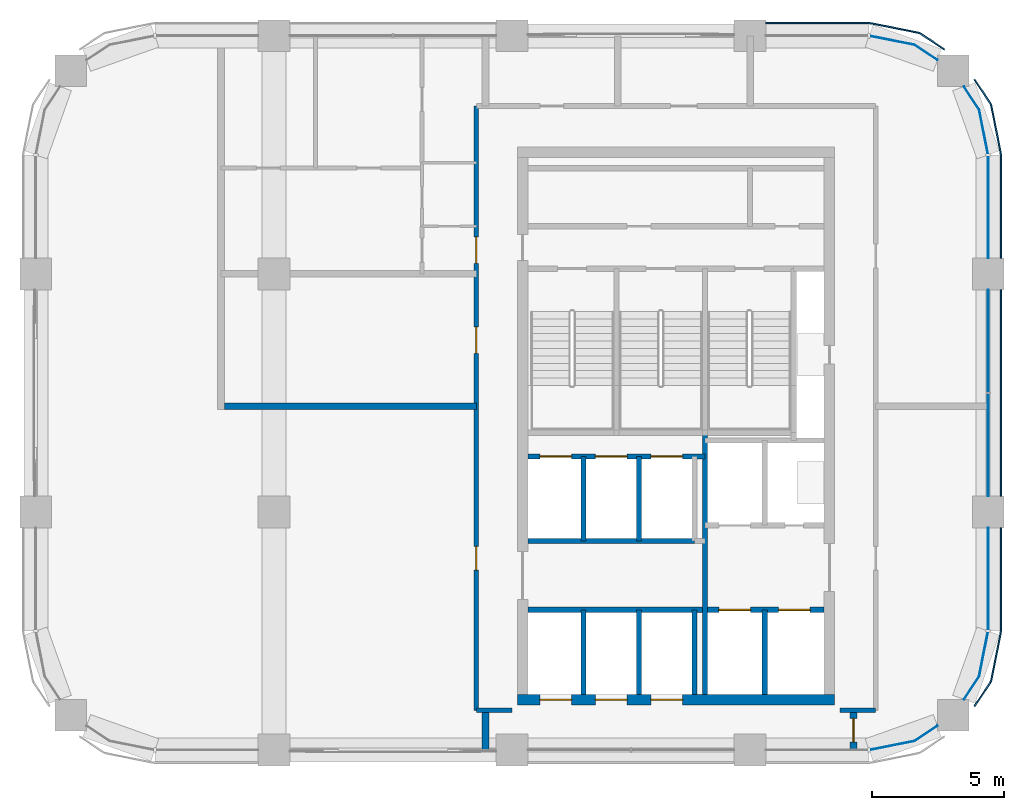
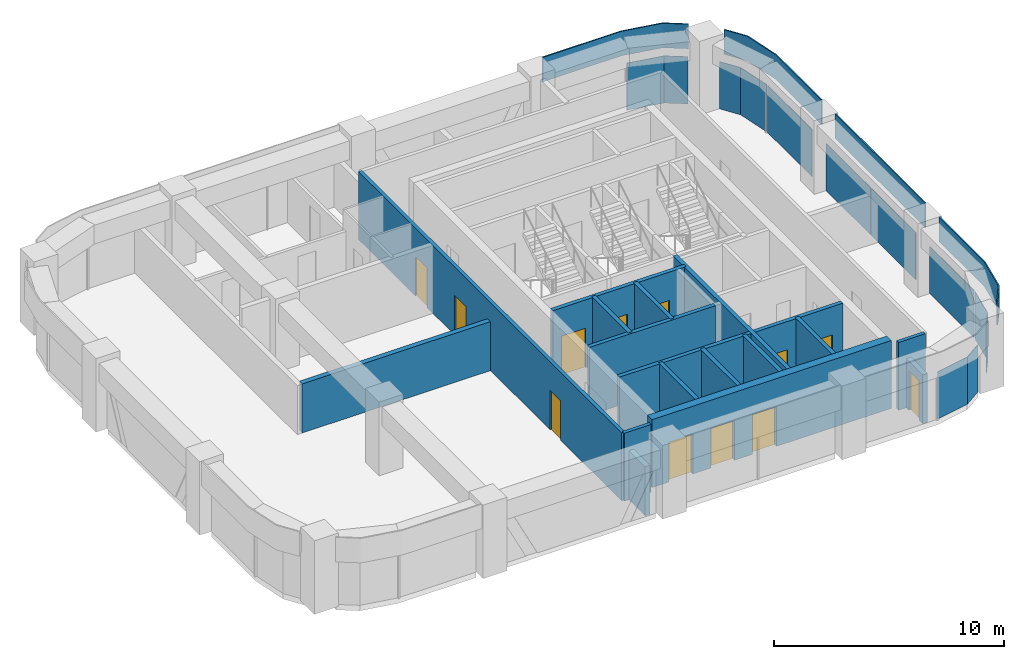
# One storey, part 7 of 10: 17 walls, 12 doors, 12 plates, 12 openings, 5 elements without a shape of their own.
"""IFC4 building model written with IfcOpenShell, lengths in metres."""

from ifc_helpers import new_model, si_unit, direction, frame, frame_2d, origin, origin_2d, place, context, subcontext, project, spatial, polyline, rectangle, outline, extrude, material, layer, layer_set, type_object, element, fill, aggregate, save


model = new_model("IFC4")

# Units and contexts
model_context = context("Model", 3, precision=1e-05, world=origin(), true_north=direction((0.0, 1.0)))
body_context = subcontext(model_context, "Body", "Model", "MODEL_VIEW")
ifc_project = project(units=[si_unit("LENGTHUNIT", "METRE"), si_unit("AREAUNIT", "SQUARE_METRE"), si_unit("VOLUMEUNIT", "CUBIC_METRE"), si_unit("PLANEANGLEUNIT", "RADIAN"), si_unit("MASSUNIT", "GRAM", prefix="KILO")], contexts=[model_context])

# Site, building, storey
site_placement = place(None, origin())
site = spatial("IfcSite", under=ifc_project, at=site_placement, CompositionType="ELEMENT")
building_placement = place(site_placement, origin())
building = spatial("IfcBuilding", under=site, at=building_placement, Name="Tessera Arch", CompositionType="ELEMENT")
storey_placement = place(building_placement, frame((0.0, 0.0, 261.800048828125)))
storey = spatial("IfcBuildingStorey", under=building, at=storey_placement, Name="L63", CompositionType="ELEMENT", Elevation=261.800048828125)

# Curtain wall, plates
ifc_material_1 = material(Name="CW1 curtain wall")
curtain_wall_type_1 = type_object("IfcCurtainWallType", Name="CW1 curtain wall", PredefinedType="NOTDEFINED", material=ifc_material_1)
curtain_wall_1_placement = place(storey_placement, origin())
curtain_wall_1 = element("IfcCurtainWall", 1, at=curtain_wall_1_placement, inside=storey, type_object=curtain_wall_type_1, Name="CW1 curtain wall E54.27/0 L63", PredefinedType="NOTDEFINED")
ifc_material_2 = material(Name="Clear low-e glass", Category="glass")
ifc_material_3 = material(Name="Clear low-e glass", Category="glass")
ifc_layer_1 = layer(ifc_material_3, 0.028076171875)
ifc_layer_set_1 = layer_set([ifc_layer_1], Name="CW1 glass panel")
plate_type_1 = type_object("IfcPlateType", Name="CW1 glass panel", PredefinedType="CURTAIN_PANEL", material=ifc_layer_set_1)
plate_1_placement = place(storey_placement, frame((54.0, 38.534912109375, 0.0), z_axis=(0.0, 0.0, 1.0), x_axis=(0.0, 1.0, 0.0)))
plate_1 = element("IfcPlate", 2, at=plate_1_placement, type_object=plate_type_1, material=ifc_material_2, Name="CW1 glass panel E54.27/0 1.1.1", PredefinedType="CURTAIN_PANEL", context=body_context, shape_type="SweptSolid", body=[
    extrude(rectangle(XDim=3.8701171875, YDim=0.028076171875, at=origin_2d()), origin(), (0.0, 0.0, 1.0), 2.5),
])
plate_2_placement = place(storey_placement, frame((54.0, 42.465087890625, 0.0), z_axis=(0.0, 0.0, 1.0), x_axis=(0.0, 1.0, 0.0)))
plate_2 = element("IfcPlate", 3, at=plate_2_placement, type_object=plate_type_1, material=ifc_material_2, Name="CW1 glass panel E54.27/0 1.2.1", PredefinedType="CURTAIN_PANEL", context=body_context, shape_type="SweptSolid", body=[
    extrude(rectangle(XDim=3.8701171875, YDim=0.028076171875, at=origin_2d()), origin(), (0.0, 0.0, 1.0), 2.5),
])
ifc_material_4 = material(Name="Pale anodised aluminium panel", Category="aluminium")
ifc_layer_2 = layer(ifc_material_4, 0.06005859375)
ifc_layer_set_2 = layer_set([ifc_layer_2], Name="CW1 spandrel panel")
plate_type_2 = type_object("IfcPlateType", Name="CW1 spandrel panel", PredefinedType="CURTAIN_PANEL", material=ifc_layer_set_2)
plate_3_placement = place(storey_placement, frame((54.47998046875, 40.5, 2.60009765625), z_axis=(0.0, 0.0, 1.0), x_axis=(0.0, 1.0, 0.0)))
plate_3 = element("IfcPlate", 4, at=plate_3_placement, type_object=plate_type_2, Name="CW1 spandrel panel E54.27/0", PredefinedType="CURTAIN_PANEL", context=body_context, shape_type="SweptSolid", body=[
    extrude(rectangle(XDim=7.800048828125, YDim=0.06005859375, at=origin_2d()), origin(), (0.0, 0.0, 1.0), 1.300048828125),
])
aggregate(curtain_wall_1, [plate_1, plate_2, plate_3])

ifc_material_5 = material(Name="CW2 curtain wall")
curtain_wall_type_2 = type_object("IfcCurtainWallType", Name="CW2 curtain wall", PredefinedType="NOTDEFINED", material=ifc_material_5)
curtain_wall_2_placement = place(storey_placement, origin())
curtain_wall_2 = element("IfcCurtainWall", 5, at=curtain_wall_2_placement, inside=storey, type_object=curtain_wall_type_2, Name="CW2 curtain wall E54.27/1 L63", PredefinedType="NOTDEFINED")
ifc_material_6 = material(Name="Clear low-e glass", Category="glass")
ifc_layer_3 = layer(ifc_material_6, 0.028076171875)
ifc_layer_set_3 = layer_set([ifc_layer_3], Name="CW2 glass panel")
plate_type_3 = type_object("IfcPlateType", Name="CW2 glass panel", PredefinedType="CURTAIN_PANEL", material=ifc_layer_set_3)
plate_4_placement = place(storey_placement, frame((54.0, 47.530029296875, 0.0), z_axis=(0.0, 0.0, 1.0), x_axis=(0.0, 1.0, 0.0)))
plate_4 = element("IfcPlate", 6, at=plate_4_placement, type_object=plate_type_3, material=ifc_material_2, Name="CW2 glass panel E54.27/1 1.1", PredefinedType="CURTAIN_PANEL", context=body_context, shape_type="SweptSolid", body=[
    extrude(rectangle(XDim=3.860107421875, YDim=0.028076171875, at=origin_2d()), origin(), (0.0, 0.0, 1.0), 2.5),
])
plate_5_placement = place(storey_placement, origin())
plate_5 = element("IfcPlate", 7, at=plate_5_placement, type_object=plate_type_3, material=ifc_material_2, Name="CW2 curved glass panel E54.27/1 2.1", PredefinedType="CURTAIN_PANEL", context=body_context, shape_type="SweptSolid", body=[
    extrude(outline(polyline([(53.644287109375, 51.216552734375), (53.978515625, 49.53662109375), (54.005859375, 49.5419921875), (53.670654296875, 51.2275390625), (53.094482421875, 52.08984375), (53.0712890625, 52.07421875), (53.644287109375, 51.216552734375)])), origin(), (0.0, 0.0, 1.0), 2.5),
])

# Curtain wall, plate
curtain_wall_3_placement = place(storey_placement, origin())
curtain_wall_3 = element("IfcCurtainWall", 8, at=curtain_wall_3_placement, inside=storey, type_object=curtain_wall_type_2, Name="CW2 curtain wall N54.18/0 L63", PredefinedType="NOTDEFINED")
plate_6_placement = place(storey_placement, origin())
plate_6 = element("IfcPlate", 9, at=plate_6_placement, type_object=plate_type_3, material=ifc_material_2, Name="CW2 curved glass panel N54.18/0 2.1", PredefinedType="CURTAIN_PANEL", context=body_context, shape_type="SweptSolid", body=[
    extrude(outline(polyline([(51.216552734375, 53.644287109375), (52.07421875, 53.0712890625), (52.08984375, 53.094482421875), (51.2275390625, 53.670654296875), (49.5419921875, 54.005859375), (49.53662109375, 53.978515625), (51.216552734375, 53.644287109375)])), origin(), (0.0, 0.0, 1.0), 2.5),
])

curtain_wall_4_placement = place(storey_placement, origin())
curtain_wall_4 = element("IfcCurtainWall", 10, at=curtain_wall_4_placement, inside=storey, type_object=curtain_wall_type_2, Name="CW2 curtain wall S27.18/3 L63", PredefinedType="NOTDEFINED")
plate_7_placement = place(storey_placement, origin())
plate_7 = element("IfcPlate", 11, at=plate_7_placement, type_object=plate_type_3, material=ifc_material_2, Name="CW2 curved glass panel S27.18/3 2.1", PredefinedType="CURTAIN_PANEL", context=body_context, shape_type="SweptSolid", body=[
    extrude(outline(polyline([(51.216552734375, 27.355712890625), (49.53662109375, 27.021484375), (49.5419921875, 26.994140625), (51.2275390625, 27.329345703125), (52.08984375, 27.905517578125), (52.07421875, 27.9287109375), (51.216552734375, 27.355712890625)])), origin(), (0.0, 0.0, 1.0), 2.5),
])
aggregate(curtain_wall_4, [plate_7])

# Curtain wall, plates
curtain_wall_5_placement = place(storey_placement, origin())
curtain_wall_5 = element("IfcCurtainWall", 12, at=curtain_wall_5_placement, inside=storey, type_object=curtain_wall_type_2, Name="CW2 curtain wall E54.27/2 L63", PredefinedType="NOTDEFINED")
plate_8_placement = place(storey_placement, frame((54.0, 33.469970703125, 0.0), z_axis=(0.0, 0.0, 1.0), x_axis=(0.0, 1.0, 0.0)))
plate_8 = element("IfcPlate", 13, at=plate_8_placement, type_object=plate_type_3, material=ifc_material_2, Name="CW2 glass panel E54.27/2 1.1", PredefinedType="CURTAIN_PANEL", context=body_context, shape_type="SweptSolid", body=[
    extrude(rectangle(XDim=3.860107421875, YDim=0.028076171875, at=origin_2d()), origin(), (0.0, 0.0, 1.0), 2.5),
])
plate_9_placement = place(storey_placement, origin())
plate_9 = element("IfcPlate", 14, at=plate_9_placement, type_object=plate_type_3, material=ifc_material_2, Name="CW2 curved glass panel E54.27/2 2.1", PredefinedType="CURTAIN_PANEL", context=body_context, shape_type="SweptSolid", body=[
    extrude(outline(polyline([(53.644287109375, 29.783447265625), (53.0712890625, 28.92578125), (53.094482421875, 28.91015625), (53.670654296875, 29.7724609375), (54.005859375, 31.4580078125), (53.978515625, 31.46337890625), (53.644287109375, 29.783447265625)])), origin(), (0.0, 0.0, 1.0), 2.5),
])

# Plate
ifc_material_7 = material(Name="Pale anodised aluminium panel", Category="aluminium")
ifc_layer_4 = layer(ifc_material_7, 0.06005859375)
ifc_layer_set_4 = layer_set([ifc_layer_4], Name="CW2 spandrel panel")
plate_type_4 = type_object("IfcPlateType", Name="CW2 spandrel panel", PredefinedType="CURTAIN_PANEL", material=ifc_layer_set_4)
plate_10_placement = place(storey_placement, frame((0.0, 0.0, 2.599853515625)))
plate_10 = element("IfcPlate", 15, at=plate_10_placement, type_object=plate_type_4, Name="CW2 spandrel panel E54.27/1", PredefinedType="CURTAIN_PANEL", context=body_context, shape_type="SweptSolid", body=[
    extrude(outline(polyline([(54.449951171875, 49.499267578125), (54.449951171875, 45.60009765625), (54.510009765625, 45.60009765625), (54.510009765625, 49.500732421875), (54.507568359375, 49.550048828125), (54.500244140625, 49.598876953125), (54.157470703125, 51.322265625), (54.1455078125, 51.3701171875), (54.128662109375, 51.417236328125), (54.107421875, 51.462646484375), (54.08203125, 51.5048828125), (53.5068359375, 52.365234375), (53.45703125, 52.33203125), (54.03125, 51.47265625), (54.054443359375, 51.434326171875), (54.0732421875, 51.394287109375), (54.088134765625, 51.352783203125), (54.09912109375, 51.30908203125), (54.441162109375, 49.588623046875), (54.44775390625, 49.544189453125), (54.449951171875, 49.499267578125)])), origin(), (0.0, 0.0, 1.0), 1.300048828125),
])

aggregate(curtain_wall_2, [plate_4, plate_5, plate_10])

plate_11_placement = place(storey_placement, frame((0.0, 0.0, 2.599853515625)))
plate_11 = element("IfcPlate", 16, at=plate_11_placement, type_object=plate_type_4, Name="CW2 spandrel panel N54.18/0", PredefinedType="CURTAIN_PANEL", context=body_context, shape_type="SweptSolid", body=[
    extrude(outline(polyline([(51.47265625, 54.03125), (52.33203125, 53.45703125), (52.365234375, 53.5068359375), (51.5048828125, 54.08203125), (51.462646484375, 54.107421875), (51.417236328125, 54.128662109375), (51.3701171875, 54.1455078125), (51.322265625, 54.157470703125), (49.598876953125, 54.500244140625), (49.550048828125, 54.507568359375), (49.500732421875, 54.510009765625), (45.60009765625, 54.510009765625), (45.60009765625, 54.449951171875), (49.499267578125, 54.449951171875), (49.544189453125, 54.44775390625), (49.588623046875, 54.441162109375), (51.30908203125, 54.09912109375), (51.352783203125, 54.088134765625), (51.394287109375, 54.0732421875), (51.434326171875, 54.054443359375), (51.47265625, 54.03125)])), origin(), (0.0, 0.0, 1.0), 1.300048828125),
])

aggregate(curtain_wall_3, [plate_6, plate_11])

plate_12_placement = place(storey_placement, frame((0.0, 0.0, 2.599853515625)))
plate_12 = element("IfcPlate", 17, at=plate_12_placement, type_object=plate_type_4, Name="CW2 spandrel panel E54.27/2", PredefinedType="CURTAIN_PANEL", context=body_context, shape_type="SweptSolid", body=[
    extrude(outline(polyline([(54.03125, 29.52734375), (53.45703125, 28.66796875), (53.5068359375, 28.634765625), (54.08203125, 29.4951171875), (54.107421875, 29.537353515625), (54.128662109375, 29.582763671875), (54.1455078125, 29.6298828125), (54.157470703125, 29.677734375), (54.500244140625, 31.401123046875), (54.507568359375, 31.449951171875), (54.510009765625, 31.499267578125), (54.510009765625, 35.39990234375), (54.449951171875, 35.39990234375), (54.449951171875, 31.500732421875), (54.44775390625, 31.455810546875), (54.441162109375, 31.411376953125), (54.09912109375, 29.69091796875), (54.088134765625, 29.647216796875), (54.0732421875, 29.605712890625), (54.054443359375, 29.565673828125), (54.03125, 29.52734375)])), origin(), (0.0, 0.0, 1.0), 1.300048828125),
])

aggregate(curtain_wall_5, [plate_8, plate_9, plate_12])

# Wall, openings, doors
ifc_material_8 = material(Name="Concrete C50/60", Category="concrete")
ifc_layer_5 = layer(ifc_material_8, 0.39990234375)
ifc_layer_set_5 = layer_set([ifc_layer_5], Name="Core shell wall 400 C50-60")
wall_type_1 = type_object("IfcWallType", Name="Core shell wall 400 C50-60", PredefinedType="SHEAR", material=ifc_layer_set_5)
wall_1_placement = place(storey_placement, frame((36.199951171875, 28.89990234375, 0.0), z_axis=(0.0, 0.0, 1.0), x_axis=(1.0, 0.0, 0.0)))
wall_1 = element("IfcWall", 18, at=wall_1_placement, inside=storey, type_object=wall_type_1, Name="L63 C1 core wall S", PredefinedType="SHEAR", context=body_context, shape_type="SweptSolid", body=[
    extrude(rectangle(XDim=12.0, YDim=0.39990234375, at=frame_2d((6.0, 0.0))), origin(), (0.0, 0.0, 1.0), 3.599853515625),
])
opening_1_placement = place(wall_1_placement, frame((0.85009765625, 0.0, 0.0)))
opening_1 = element("IfcOpeningElement", 19, at=opening_1_placement, cuts=wall_1, Name="Opening L63-C01", PredefinedType="OPENING", context=body_context, shape_type="SweptSolid", body=[
    extrude(rectangle(XDim=1.199951171875, YDim=2.10009765625, at=frame_2d((0.60009765625, 1.050048828125))), frame((0.0, 0.2099609375, 0.0), z_axis=(0.0, -1.0, 0.0), x_axis=(1.0, 0.0, 0.0)), (0.0, 0.0, 1.0), 0.419921875),
])
opening_2_placement = place(wall_1_placement, frame((2.949951171875, 0.0, 0.0)))
opening_2 = element("IfcOpeningElement", 20, at=opening_2_placement, cuts=wall_1, Name="Opening L63-C03", PredefinedType="OPENING", context=body_context, shape_type="SweptSolid", body=[
    extrude(rectangle(XDim=1.199951171875, YDim=2.10009765625, at=frame_2d((0.60009765625, 1.050048828125))), frame((0.0, 0.2099609375, 0.0), z_axis=(0.0, -1.0, 0.0), x_axis=(1.0, 0.0, 0.0)), (0.0, 0.0, 1.0), 0.419921875),
])
opening_3_placement = place(wall_1_placement, frame((5.050048828125, 0.0, 0.0)))
opening_3 = element("IfcOpeningElement", 21, at=opening_3_placement, cuts=wall_1, Name="Opening L63-C05", PredefinedType="OPENING", context=body_context, shape_type="SweptSolid", body=[
    extrude(rectangle(XDim=1.199951171875, YDim=2.10009765625, at=frame_2d((0.60009765625, 1.050048828125))), frame((0.0, 0.2099609375, 0.0), z_axis=(0.0, -1.0, 0.0), x_axis=(1.0, 0.0, 0.0)), (0.0, 0.0, 1.0), 0.419921875),
])
ifc_material_9 = material(Name="Stainless steel AISI 304", Category="steel")
door_type_1 = type_object("IfcDoorType", Name="Sliding landing door 1200 x 2100", OperationType="SLIDING_TO_LEFT", PredefinedType="DOOR", material=ifc_material_9)
door_1_placement = place(opening_1_placement, origin())
door_1 = element("IfcDoor", 22, at=door_1_placement, inside=storey, type_object=door_type_1, Name="L63 HR1 lift landing door C01 type LD", OperationType="SLIDING_TO_LEFT", OverallHeight=2.10009765625, OverallWidth=1.199951171875, PredefinedType="DOOR", context=body_context, shape_type="SweptSolid", body=[
    extrude(rectangle(XDim=1.199951171875, YDim=2.10009765625, at=frame_2d((0.60009765625, 1.050048828125))), frame((0.0, 0.02490234375, 0.0), z_axis=(0.0, -1.0, 0.0), x_axis=(1.0, 0.0, 0.0)), (0.0, 0.0, 1.0), 0.050048828125),
])
fill(opening_1, door_1)
door_2_placement = place(opening_2_placement, origin())
door_2 = element("IfcDoor", 23, at=door_2_placement, inside=storey, type_object=door_type_1, Name="L63 HR2 lift landing door C03 type LD", OperationType="SLIDING_TO_LEFT", OverallHeight=2.10009765625, OverallWidth=1.199951171875, PredefinedType="DOOR", context=body_context, shape_type="SweptSolid", body=[
    extrude(rectangle(XDim=1.199951171875, YDim=2.10009765625, at=frame_2d((0.60009765625, 1.050048828125))), frame((0.0, 0.02490234375, 0.0), z_axis=(0.0, -1.0, 0.0), x_axis=(1.0, 0.0, 0.0)), (0.0, 0.0, 1.0), 0.050048828125),
])
fill(opening_2, door_2)
door_3_placement = place(opening_3_placement, origin())
door_3 = element("IfcDoor", 24, at=door_3_placement, inside=storey, type_object=door_type_1, Name="L63 HR3 lift landing door C05 type LD", OperationType="SLIDING_TO_LEFT", OverallHeight=2.10009765625, OverallWidth=1.199951171875, PredefinedType="DOOR", context=body_context, shape_type="SweptSolid", body=[
    extrude(rectangle(XDim=1.199951171875, YDim=2.10009765625, at=frame_2d((0.60009765625, 1.050048828125))), frame((0.0, 0.02490234375, 0.0), z_axis=(0.0, -1.0, 0.0), x_axis=(1.0, 0.0, 0.0)), (0.0, 0.0, 1.0), 0.050048828125),
])
fill(opening_3, door_3)

# Walls
ifc_material_10 = material(Name="Gypsum board on deep steel stud with mineral wool", Category="steel")
ifc_layer_6 = layer(ifc_material_10, 0.175048828125)
ifc_layer_set_6 = layer_set([ifc_layer_6], Name="Corridor wall 175 EI 60")
wall_type_2 = type_object("IfcWallType", Name="Corridor wall 175 EI 60", PredefinedType="PARTITIONING", material=ifc_layer_set_6)
for number, where, z_axis, x_axis, name in (
    (25, (34.64990234375, 28.5, 0.0), (0.0, 0.0, 1.0), (1.0, 0.0, 0.0), "L63 partition 1"),
    (26, (48.39990234375, 28.5, 0.0), (0.0, 0.0, 1.0), (1.0, 0.0, 0.0), "L63 partition 2"),
):
    element("IfcWall", number, at=place(storey_placement, frame(where, z_axis=z_axis, x_axis=x_axis)), inside=storey, type_object=wall_type_2, Name=name, PredefinedType="PARTITIONING", context=body_context, shape_type="SweptSolid", body=[
        extrude(rectangle(XDim=1.35009765625, YDim=0.175048828125, at=frame_2d((0.675048828125, 0.0))), origin(), (0.0, 0.0, 1.0), 3.599853515625),
    ])

# Wall, openings, doors
wall_2_placement = place(storey_placement, frame((34.64990234375, 28.5, 0.0), z_axis=(0.0, 0.0, 1.0), x_axis=(0.0, 1.0, 0.0)))
wall_2 = element("IfcWall", 27, at=wall_2_placement, inside=storey, type_object=wall_type_2, Name="L63 partition 4", PredefinedType="PARTITIONING", context=body_context, shape_type="SweptSolid", body=[
    extrude(rectangle(XDim=22.85009765625, YDim=0.175048828125, at=frame_2d((11.425048828125, 0.0))), origin(), (0.0, 0.0, 1.0), 3.599853515625),
])
opening_4_placement = place(wall_2_placement, frame((5.300048828125, 0.0, 0.0)))
opening_4 = element("IfcOpeningElement", 28, at=opening_4_placement, cuts=wall_2, Name="Opening L63-D002", PredefinedType="OPENING", context=body_context, shape_type="SweptSolid", body=[
    extrude(rectangle(XDim=0.89990234375, YDim=2.10009765625, at=frame_2d((0.449951171875, 1.050048828125))), frame((0.0, 0.097412109375, 0.0), z_axis=(0.0, -1.0, 0.0), x_axis=(1.0, 0.0, 0.0)), (0.0, 0.0, 1.0), 0.195068359375),
])
opening_5_placement = place(wall_2_placement, frame((13.5, 0.0, 0.0)))
opening_5 = element("IfcOpeningElement", 29, at=opening_5_placement, cuts=wall_2, Name="Opening L63-D003", PredefinedType="OPENING", context=body_context, shape_type="SweptSolid", body=[
    extrude(rectangle(XDim=1.0, YDim=2.10009765625, at=frame_2d((0.5, 1.050048828125))), frame((0.0, 0.097412109375, 0.0), z_axis=(0.0, -1.0, 0.0), x_axis=(1.0, 0.0, 0.0)), (0.0, 0.0, 1.0), 0.195068359375),
])
opening_6_placement = place(wall_2_placement, frame((16.89990234375, 0.0, 0.0)))
opening_6 = element("IfcOpeningElement", 30, at=opening_6_placement, cuts=wall_2, Name="Opening L63-D005", PredefinedType="OPENING", context=body_context, shape_type="SweptSolid", body=[
    extrude(rectangle(XDim=1.0, YDim=2.10009765625, at=frame_2d((0.5, 1.050048828125))), frame((0.0, 0.097412109375, 0.0), z_axis=(0.0, -1.0, 0.0), x_axis=(1.0, 0.0, 0.0)), (0.0, 0.0, 1.0), 0.195068359375),
])
ifc_material_11 = material(Name="Fire-rated door leaf")
door_type_2 = type_object("IfcDoorType", Name="Entrance door FD30S 1000 x 2100", OperationType="SINGLE_SWING_LEFT", PredefinedType="DOOR", material=ifc_material_11)
door_4_placement = place(opening_5_placement, origin())
door_4 = element("IfcDoor", 31, at=door_4_placement, inside=storey, type_object=door_type_2, Name="L63 door D003 type D03", OperationType="SINGLE_SWING_RIGHT", OverallHeight=2.10009765625, OverallWidth=1.0, PredefinedType="DOOR", context=body_context, shape_type="SweptSolid", body=[
    extrude(rectangle(XDim=1.0, YDim=2.10009765625, at=frame_2d((0.5, 1.050048828125))), frame((0.0, 0.02490234375, 0.0), z_axis=(0.0, -1.0, 0.0), x_axis=(1.0, 0.0, 0.0)), (0.0, 0.0, 1.0), 0.050048828125),
])
fill(opening_5, door_4)
door_5_placement = place(opening_6_placement, origin())
door_5 = element("IfcDoor", 32, at=door_5_placement, inside=storey, type_object=door_type_2, Name="L63 door D005 type D03", OperationType="SINGLE_SWING_RIGHT", OverallHeight=2.10009765625, OverallWidth=1.0, PredefinedType="DOOR", context=body_context, shape_type="SweptSolid", body=[
    extrude(rectangle(XDim=1.0, YDim=2.10009765625, at=frame_2d((0.5, 1.050048828125))), frame((0.0, 0.02490234375, 0.0), z_axis=(0.0, -1.0, 0.0), x_axis=(1.0, 0.0, 0.0)), (0.0, 0.0, 1.0), 0.050048828125),
])
fill(opening_6, door_5)
ifc_material_12 = material(Name="Timber door leaf", Category="wood")
door_type_3 = type_object("IfcDoorType", Name="Room door 900 x 2100", OperationType="SINGLE_SWING_LEFT", PredefinedType="DOOR", material=ifc_material_12)
door_6_placement = place(opening_4_placement, origin())
door_6 = element("IfcDoor", 33, at=door_6_placement, inside=storey, type_object=door_type_3, Name="L63 door D002 type D01", OperationType="SINGLE_SWING_LEFT", OverallHeight=2.10009765625, OverallWidth=0.89990234375, PredefinedType="DOOR", context=body_context, shape_type="SweptSolid", body=[
    extrude(rectangle(XDim=0.89990234375, YDim=2.10009765625, at=frame_2d((0.449951171875, 1.050048828125))), frame((0.0, 0.02490234375, 0.0), z_axis=(0.0, -1.0, 0.0), x_axis=(1.0, 0.0, 0.0)), (0.0, 0.0, 1.0), 0.050048828125),
])
fill(opening_4, door_6)

# Walls
ifc_material_13 = material(Name="Double gypsum board on twin steel stud with acoustic mineral wool", Category="steel")
ifc_layer_7 = layer(ifc_material_13, 0.25)
ifc_layer_set_7 = layer_set([ifc_layer_7], Name="Party wall 250 EI 60")
wall_type_3 = type_object("IfcWallType", Name="Party wall 250 EI 60", PredefinedType="PARTITIONING", material=ifc_layer_set_7)
wall_3_placement = place(storey_placement, frame((25.125, 40.0, 0.0), z_axis=(0.0, 0.0, 1.0), x_axis=(1.0, 0.0, 0.0)))
element("IfcWall", 34, at=wall_3_placement, inside=storey, type_object=wall_type_3, Name="L63 partition 10", PredefinedType="PARTITIONING", context=body_context, shape_type="SweptSolid", body=[
    extrude(rectangle(XDim=9.52490234375, YDim=0.25, at=frame_2d((4.762451171875, 0.0))), origin(), (0.0, 0.0, 1.0), 2.599853515625),
])
wall_4_placement = place(storey_placement, frame((35.0, 27.0, 0.0), z_axis=(0.0, 0.0, 1.0), x_axis=(0.0, 1.0, 0.0)))
element("IfcWall", 35, at=wall_4_placement, inside=storey, type_object=wall_type_3, Name="L63 partition 14", PredefinedType="PARTITIONING", context=body_context, shape_type="SweptSolid", body=[
    extrude(rectangle(XDim=1.5, YDim=0.25, at=frame_2d((0.75, 0.0))), origin(), (0.0, 0.0, 1.0), 2.599853515625),
])

# Wall, opening, door
wall_5_placement = place(storey_placement, frame((48.910888671875, 27.0, 0.0), z_axis=(0.0, 0.0, 1.0), x_axis=(0.0, 1.0, 0.0)))
wall_5 = element("IfcWall", 36, at=wall_5_placement, inside=storey, type_object=wall_type_3, Name="L63 partition 18", PredefinedType="PARTITIONING", context=body_context, shape_type="SweptSolid", body=[
    extrude(rectangle(XDim=1.5, YDim=0.25, at=frame_2d((0.75, 0.0))), origin(), (0.0, 0.0, 1.0), 2.599853515625),
])
opening_7_placement = place(wall_5_placement, frame((0.300048828125, 0.0, 0.0)))
opening_7 = element("IfcOpeningElement", 37, at=opening_7_placement, cuts=wall_5, Name="Opening L63-D014", PredefinedType="OPENING", context=body_context, shape_type="SweptSolid", body=[
    extrude(rectangle(XDim=0.89990234375, YDim=2.10009765625, at=frame_2d((0.449951171875, 1.050048828125))), frame((0.0, 0.135009765625, 0.0), z_axis=(0.0, -1.0, 0.0), x_axis=(1.0, 0.0, 0.0)), (0.0, 0.0, 1.0), 0.27001953125),
])
door_7_placement = place(opening_7_placement, origin())
door_7 = element("IfcDoor", 38, at=door_7_placement, inside=storey, type_object=door_type_3, Name="L63 door D014 type D01", OperationType="SINGLE_SWING_RIGHT", OverallHeight=2.10009765625, OverallWidth=0.89990234375, PredefinedType="DOOR", context=body_context, shape_type="SweptSolid", body=[
    extrude(rectangle(XDim=0.89990234375, YDim=2.10009765625, at=frame_2d((0.449951171875, 1.050048828125))), frame((0.0, 0.02490234375, 0.0), z_axis=(0.0, -1.0, 0.0), x_axis=(1.0, 0.0, 0.0)), (0.0, 0.0, 1.0), 0.050048828125),
])
fill(opening_7, door_7)

# Walls
ifc_material_14 = material(Name="Concrete C40/50", Category="concrete")
ifc_layer_8 = layer(ifc_material_14, 0.199951171875)
ifc_layer_set_8 = layer_set([ifc_layer_8], Name="Shaft wall 200 EI 120")
wall_type_4 = type_object("IfcWallType", Name="Shaft wall 200 EI 120", PredefinedType="SOLIDWALL", material=ifc_layer_set_8)
wall_6_placement = place(storey_placement, frame((38.699951171875, 29.10009765625, 0.0), z_axis=(0.0, 0.0, 1.0), x_axis=(0.0, 1.0, 0.0)))
element("IfcWall", 39, at=wall_6_placement, inside=storey, type_object=wall_type_4, Name="L63 C1 shaft wall 1", PredefinedType="SOLIDWALL", context=body_context, shape_type="SweptSolid", body=[
    extrude(rectangle(XDim=3.199951171875, YDim=0.199951171875, at=frame_2d((1.60009765625, 0.0))), origin(), (0.0, 0.0, 1.0), 3.599853515625),
])
wall_7_placement = place(storey_placement, frame((38.699951171875, 34.89990234375, 0.0), z_axis=(0.0, 0.0, 1.0), x_axis=(0.0, 1.0, 0.0)))
element("IfcWall", 40, at=wall_7_placement, inside=storey, type_object=wall_type_4, Name="L63 C1 shaft wall 2", PredefinedType="SOLIDWALL", context=body_context, shape_type="SweptSolid", body=[
    extrude(rectangle(XDim=3.2001953125, YDim=0.199951171875, at=frame_2d((1.60009765625, 0.0))), origin(), (0.0, 0.0, 1.0), 3.599853515625),
])
wall_8_placement = place(storey_placement, frame((40.800048828125, 29.10009765625, 0.0), z_axis=(0.0, 0.0, 1.0), x_axis=(0.0, 1.0, 0.0)))
element("IfcWall", 41, at=wall_8_placement, inside=storey, type_object=wall_type_4, Name="L63 C1 shaft wall 5", PredefinedType="SOLIDWALL", context=body_context, shape_type="SweptSolid", body=[
    extrude(rectangle(XDim=3.199951171875, YDim=0.199951171875, at=frame_2d((1.60009765625, 0.0))), origin(), (0.0, 0.0, 1.0), 3.599853515625),
])
wall_9_placement = place(storey_placement, frame((40.800048828125, 34.89990234375, 0.0), z_axis=(0.0, 0.0, 1.0), x_axis=(0.0, 1.0, 0.0)))
element("IfcWall", 42, at=wall_9_placement, inside=storey, type_object=wall_type_4, Name="L63 C1 shaft wall 6", PredefinedType="SOLIDWALL", context=body_context, shape_type="SweptSolid", body=[
    extrude(rectangle(XDim=3.2001953125, YDim=0.199951171875, at=frame_2d((1.60009765625, 0.0))), origin(), (0.0, 0.0, 1.0), 3.599853515625),
])
wall_10_placement = place(storey_placement, frame((42.89990234375, 29.10009765625, 0.0), z_axis=(0.0, 0.0, 1.0), x_axis=(0.0, 1.0, 0.0)))
element("IfcWall", 43, at=wall_10_placement, inside=storey, type_object=wall_type_4, Name="L63 C1 shaft wall 7", PredefinedType="SOLIDWALL", context=body_context, shape_type="SweptSolid", body=[
    extrude(rectangle(XDim=3.199951171875, YDim=0.199951171875, at=frame_2d((1.60009765625, 0.0))), origin(), (0.0, 0.0, 1.0), 3.599853515625),
])
wall_11_placement = place(storey_placement, frame((43.300048828125, 29.10009765625, 0.0), z_axis=(0.0, 0.0, 1.0), x_axis=(0.0, 1.0, 0.0)))
element("IfcWall", 44, at=wall_11_placement, inside=storey, type_object=wall_type_4, Name="L63 C1 shaft wall 9", PredefinedType="SOLIDWALL", context=body_context, shape_type="SweptSolid", body=[
    extrude(rectangle(XDim=9.89990234375, YDim=0.199951171875, at=frame_2d((4.949951171875, 0.0))), origin(), (0.0, 0.0, 1.0), 3.599853515625),
])
wall_12_placement = place(storey_placement, frame((45.550048828125, 29.10009765625, 0.0), z_axis=(0.0, 0.0, 1.0), x_axis=(0.0, 1.0, 0.0)))
element("IfcWall", 45, at=wall_12_placement, inside=storey, type_object=wall_type_4, Name="L63 C1 shaft wall 13", PredefinedType="SOLIDWALL", context=body_context, shape_type="SweptSolid", body=[
    extrude(rectangle(XDim=3.199951171875, YDim=0.199951171875, at=frame_2d((1.60009765625, 0.0))), origin(), (0.0, 0.0, 1.0), 3.599853515625),
])

# Wall, openings, doors
wall_13_placement = place(storey_placement, frame((36.60009765625, 32.300048828125, 0.0), z_axis=(0.0, 0.0, 1.0), x_axis=(1.0, 0.0, 0.0)))
wall_13 = element("IfcWall", 46, at=wall_13_placement, inside=storey, type_object=wall_type_4, Name="L63 C1 shaft wall 18", PredefinedType="SOLIDWALL", context=body_context, shape_type="SweptSolid", body=[
    extrude(rectangle(XDim=11.199951171875, YDim=0.199951171875, at=frame_2d((5.60009765625, 0.0))), origin(), (0.0, 0.0, 1.0), 3.599853515625),
])
opening_8_placement = place(wall_13_placement, frame((7.22509765625, 0.0, 0.0)))
opening_8 = element("IfcOpeningElement", 47, at=opening_8_placement, cuts=wall_13, Name="Opening L63-C07", PredefinedType="OPENING", context=body_context, shape_type="SweptSolid", body=[
    extrude(rectangle(XDim=1.199951171875, YDim=2.10009765625, at=frame_2d((0.60009765625, 1.050048828125))), frame((0.0, 0.10986328125, 0.0), z_axis=(0.0, -1.0, 0.0), x_axis=(1.0, 0.0, 0.0)), (0.0, 0.0, 1.0), 0.219970703125),
])
opening_9_placement = place(wall_13_placement, frame((9.47509765625, 0.0, 0.0)))
opening_9 = element("IfcOpeningElement", 48, at=opening_9_placement, cuts=wall_13, Name="Opening L63-C08", PredefinedType="OPENING", context=body_context, shape_type="SweptSolid", body=[
    extrude(rectangle(XDim=1.199951171875, YDim=2.10009765625, at=frame_2d((0.60009765625, 1.050048828125))), frame((0.0, 0.10986328125, 0.0), z_axis=(0.0, -1.0, 0.0), x_axis=(1.0, 0.0, 0.0)), (0.0, 0.0, 1.0), 0.219970703125),
])
door_8_placement = place(opening_8_placement, origin())
door_8 = element("IfcDoor", 49, at=door_8_placement, inside=storey, type_object=door_type_1, Name="L63 FF1 lift landing door C07 type LD", OperationType="SLIDING_TO_LEFT", OverallHeight=2.10009765625, OverallWidth=1.199951171875, PredefinedType="DOOR", context=body_context, shape_type="SweptSolid", body=[
    extrude(rectangle(XDim=1.199951171875, YDim=2.10009765625, at=frame_2d((0.60009765625, 1.050048828125))), frame((0.0, 0.02490234375, 0.0), z_axis=(0.0, -1.0, 0.0), x_axis=(1.0, 0.0, 0.0)), (0.0, 0.0, 1.0), 0.050048828125),
])
fill(opening_8, door_8)
door_9_placement = place(opening_9_placement, origin())
door_9 = element("IfcDoor", 50, at=door_9_placement, inside=storey, type_object=door_type_1, Name="L63 FF2 lift landing door C08 type LD", OperationType="SLIDING_TO_LEFT", OverallHeight=2.10009765625, OverallWidth=1.199951171875, PredefinedType="DOOR", context=body_context, shape_type="SweptSolid", body=[
    extrude(rectangle(XDim=1.199951171875, YDim=2.10009765625, at=frame_2d((0.60009765625, 1.050048828125))), frame((0.0, 0.02490234375, 0.0), z_axis=(0.0, -1.0, 0.0), x_axis=(1.0, 0.0, 0.0)), (0.0, 0.0, 1.0), 0.050048828125),
])
fill(opening_9, door_9)

# Wall
wall_14_placement = place(storey_placement, frame((36.60009765625, 34.89990234375, 0.0), z_axis=(0.0, 0.0, 1.0), x_axis=(1.0, 0.0, 0.0)))
element("IfcWall", 51, at=wall_14_placement, inside=storey, type_object=wall_type_4, Name="L63 C1 shaft wall 20", PredefinedType="SOLIDWALL", context=body_context, shape_type="SweptSolid", body=[
    extrude(rectangle(XDim=6.2998046875, YDim=0.199951171875, at=frame_2d((3.14990234375, 0.0))), origin(), (0.0, 0.0, 1.0), 3.599853515625),
])

# Wall, openings, doors
wall_15_placement = place(storey_placement, frame((36.60009765625, 38.10009765625, 0.0), z_axis=(0.0, 0.0, 1.0), x_axis=(1.0, 0.0, 0.0)))
wall_15 = element("IfcWall", 52, at=wall_15_placement, inside=storey, type_object=wall_type_4, Name="L63 C1 shaft wall 22", PredefinedType="SOLIDWALL", context=body_context, shape_type="SweptSolid", body=[
    extrude(rectangle(XDim=6.699951171875, YDim=0.199951171875, at=frame_2d((3.35009765625, 0.0))), origin(), (0.0, 0.0, 1.0), 3.599853515625),
])
opening_10_placement = place(wall_15_placement, frame((0.449951171875, 0.0, 0.0)))
opening_10 = element("IfcOpeningElement", 53, at=opening_10_placement, cuts=wall_15, Name="Opening L63-C02", PredefinedType="OPENING", context=body_context, shape_type="SweptSolid", body=[
    extrude(rectangle(XDim=1.199951171875, YDim=2.10009765625, at=frame_2d((0.60009765625, 1.050048828125))), frame((0.0, 0.10986328125, 0.0), z_axis=(0.0, -1.0, 0.0), x_axis=(1.0, 0.0, 0.0)), (0.0, 0.0, 1.0), 0.219970703125),
])
opening_11_placement = place(wall_15_placement, frame((2.550048828125, 0.0, 0.0)))
opening_11 = element("IfcOpeningElement", 54, at=opening_11_placement, cuts=wall_15, Name="Opening L63-C04", PredefinedType="OPENING", context=body_context, shape_type="SweptSolid", body=[
    extrude(rectangle(XDim=1.199951171875, YDim=2.10009765625, at=frame_2d((0.60009765625, 1.050048828125))), frame((0.0, 0.10986328125, 0.0), z_axis=(0.0, -1.0, 0.0), x_axis=(1.0, 0.0, 0.0)), (0.0, 0.0, 1.0), 0.219970703125),
])
opening_12_placement = place(wall_15_placement, frame((4.64990234375, 0.0, 0.0)))
opening_12 = element("IfcOpeningElement", 55, at=opening_12_placement, cuts=wall_15, Name="Opening L63-C06", PredefinedType="OPENING", context=body_context, shape_type="SweptSolid", body=[
    extrude(rectangle(XDim=1.199951171875, YDim=2.10009765625, at=frame_2d((0.60009765625, 1.050048828125))), frame((0.0, 0.10986328125, 0.0), z_axis=(0.0, -1.0, 0.0), x_axis=(1.0, 0.0, 0.0)), (0.0, 0.0, 1.0), 0.219970703125),
])
door_10_placement = place(opening_10_placement, origin())
door_10 = element("IfcDoor", 56, at=door_10_placement, inside=storey, type_object=door_type_1, Name="L63 HR4 lift landing door C02 type LD", OperationType="SLIDING_TO_LEFT", OverallHeight=2.10009765625, OverallWidth=1.199951171875, PredefinedType="DOOR", context=body_context, shape_type="SweptSolid", body=[
    extrude(rectangle(XDim=1.199951171875, YDim=2.10009765625, at=frame_2d((0.60009765625, 1.050048828125))), frame((0.0, 0.02490234375, 0.0), z_axis=(0.0, -1.0, 0.0), x_axis=(1.0, 0.0, 0.0)), (0.0, 0.0, 1.0), 0.050048828125),
])
fill(opening_10, door_10)
door_11_placement = place(opening_11_placement, origin())
door_11 = element("IfcDoor", 57, at=door_11_placement, inside=storey, type_object=door_type_1, Name="L63 HR5 lift landing door C04 type LD", OperationType="SLIDING_TO_LEFT", OverallHeight=2.10009765625, OverallWidth=1.199951171875, PredefinedType="DOOR", context=body_context, shape_type="SweptSolid", body=[
    extrude(rectangle(XDim=1.199951171875, YDim=2.10009765625, at=frame_2d((0.60009765625, 1.050048828125))), frame((0.0, 0.02490234375, 0.0), z_axis=(0.0, -1.0, 0.0), x_axis=(1.0, 0.0, 0.0)), (0.0, 0.0, 1.0), 0.050048828125),
])
fill(opening_11, door_11)
door_12_placement = place(opening_12_placement, origin())
door_12 = element("IfcDoor", 58, at=door_12_placement, inside=storey, type_object=door_type_1, Name="L63 HR6 lift landing door C06 type LD", OperationType="SLIDING_TO_LEFT", OverallHeight=2.10009765625, OverallWidth=1.199951171875, PredefinedType="DOOR", context=body_context, shape_type="SweptSolid", body=[
    extrude(rectangle(XDim=1.199951171875, YDim=2.10009765625, at=frame_2d((0.60009765625, 1.050048828125))), frame((0.0, 0.02490234375, 0.0), z_axis=(0.0, -1.0, 0.0), x_axis=(1.0, 0.0, 0.0)), (0.0, 0.0, 1.0), 0.050048828125),
])
fill(opening_12, door_12)

save(model, "model.ifc")
